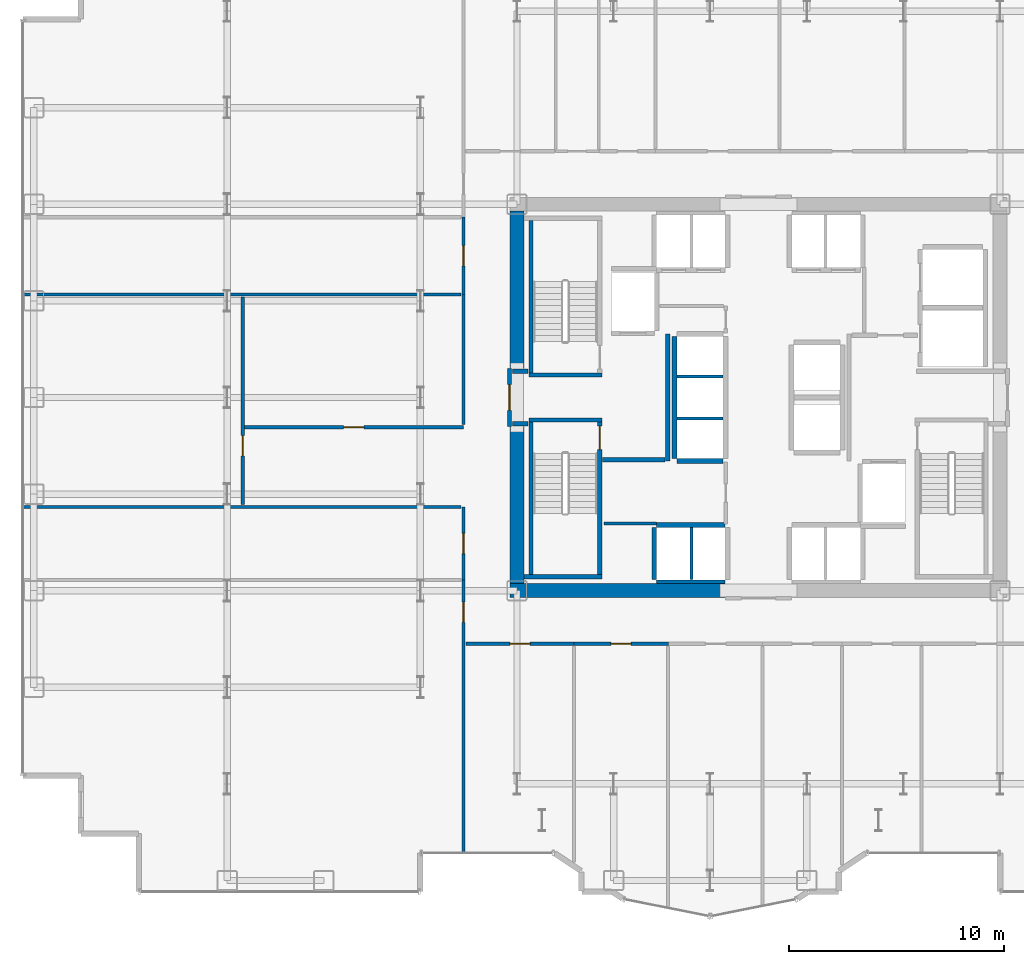
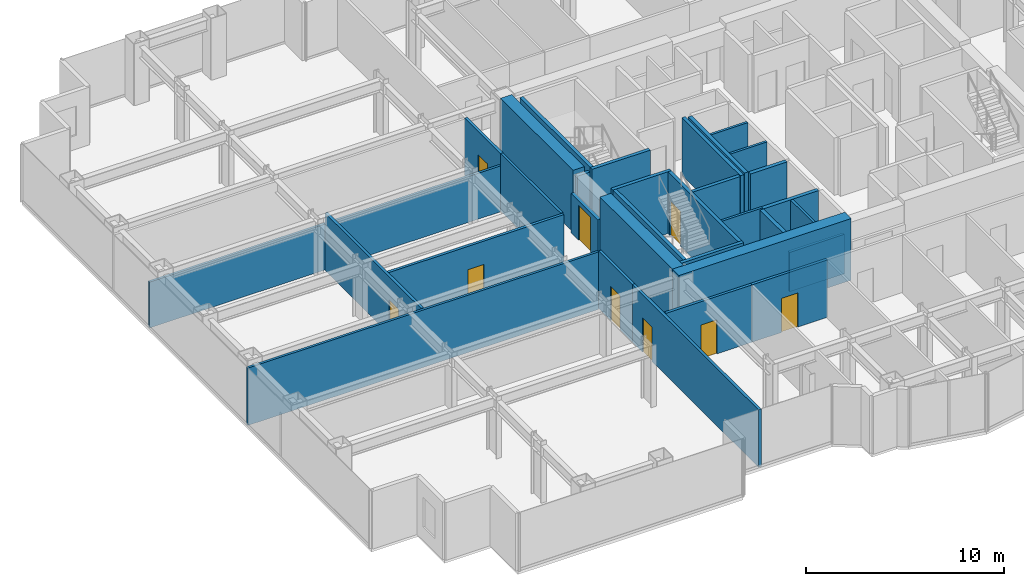
# One storey, part 20 of 25: 33 walls, 9 doors, 9 openings.
"""IFC4 building model written with IfcOpenShell, lengths in metres."""

from ifc_helpers import new_model, si_unit, direction, frame, frame_2d, origin, place, context, subcontext, project, spatial, rectangle, extrude, source, transform, mapped, material, layer, layer_set, type_object, element, fill, save


model = new_model("IFC4")

# Units and contexts
model_context = context("Model", 3, precision=1e-05, world=origin(), true_north=direction((0.0, 1.0)))
body_context = subcontext(model_context, "Body", "Model", "MODEL_VIEW")
ifc_project = project(units=[si_unit("LENGTHUNIT", "METRE"), si_unit("AREAUNIT", "SQUARE_METRE"), si_unit("VOLUMEUNIT", "CUBIC_METRE"), si_unit("PLANEANGLEUNIT", "RADIAN"), si_unit("MASSUNIT", "GRAM", prefix="KILO")], contexts=[model_context])

# Site, building, storey
site_placement = place(None, origin())
site = spatial("IfcSite", under=ifc_project, at=site_placement, CompositionType="ELEMENT")
building_placement = place(site_placement, origin())
building = spatial("IfcBuilding", under=site, at=building_placement, Name="Nefas-Gora Pilgrimage Tower", CompositionType="ELEMENT")
storey_placement = place(building_placement, frame((0.0, 0.0, 52.0)))
storey = spatial("IfcBuildingStorey", under=building, at=storey_placement, Name="L11", CompositionType="ELEMENT", Elevation=52.0)

# Walls
ifc_material_1 = material(Name="Concrete C60/75", Category="concrete")
ifc_layer_1 = layer(ifc_material_1, 0.64990234375)
ifc_layer_set_1 = layer_set([ifc_layer_1], Name="Concrete C60/75")
wall_type_1 = type_object("IfcWallType", Name="SW-CORE-650", PredefinedType="SHEAR", material=ifc_layer_set_1)
shared_shape_1 = source(origin(), body_context, "Body", "SweptSolid", [
    extrude(rectangle(XDim=10.02490234375, YDim=0.64990234375, at=frame_2d((5.012451171875, 0.0))), origin(), (0.0, 0.0, 1.0), 3.800048828125),
])
wall_1_placement = place(storey_placement, frame((-11.574951171875, -9.0, 0.0), z_axis=(0.0, 0.0, 1.0), x_axis=(1.0, 0.0, 0.0)))
element("IfcWall", 1, at=wall_1_placement, inside=storey, type_object=wall_type_1, Name="L11 Core Shear Wall S-West", PredefinedType="SHEAR", context=body_context, shape_type="MappedRepresentation", body=[
    mapped(shared_shape_1, transform((0.0, 0.0, 0.0), x_axis=(1.0, 0.0, 0.0), y_axis=(0.0, 1.0, 0.0), z_axis=(0.0, 0.0, 1.0), scale=1.0)),
])
shared_shape_2 = source(origin(), body_context, "Body", "SweptSolid", [
    extrude(rectangle(XDim=7.324951171875, YDim=0.64990234375, at=frame_2d((3.66259765625, 0.0))), origin(), (0.0, 0.0, 1.0), 3.800048828125),
])
for number, where, z_axis, x_axis, name in (
    (2, (-11.25, -8.675048828125, 0.0), (0.0, 0.0, 1.0), (0.0, 1.0, 0.0), "L11 Core Shear Wall W-South"),
    (3, (-11.25, 1.35009765625, 0.0), (0.0, 0.0, 1.0), (0.0, 1.0, 0.0), "L11 Core Shear Wall W-North"),
):
    element("IfcWall", number, at=place(storey_placement, frame(where, z_axis=z_axis, x_axis=x_axis)), inside=storey, type_object=wall_type_1, Name=name, PredefinedType="SHEAR", context=body_context, shape_type="MappedRepresentation", body=[
        mapped(shared_shape_2, transform((0.0, 0.0, 0.0), x_axis=(1.0, 0.0, 0.0), y_axis=(0.0, 1.0, 0.0), z_axis=(0.0, 0.0, 1.0), scale=1.0)),
    ])
ifc_material_2 = material(Name="Concrete C45/55", Category="concrete")
ifc_layer_2 = layer(ifc_material_2, 0.199951171875)
ifc_layer_set_2 = layer_set([ifc_layer_2], Name="Concrete C45/55")
wall_type_2 = type_object("IfcWallType", Name="IW-STAIR-200", PredefinedType="SOLIDWALL", material=ifc_layer_set_2)
shared_shape_3 = source(origin(), body_context, "Body", "SweptSolid", [
    extrude(rectangle(XDim=3.39990234375, YDim=0.199951171875, at=frame_2d((1.699951171875, 0.0))), origin(), (0.0, 0.0, 1.0), 3.800048828125),
])
for number, where, z_axis, x_axis, name in (
    (4, (-7.300048828125, 1.050048828125, 0.0), (0.0, 0.0, 1.0), (-1.0, 0.0, 0.0), "L11 Stairwell Shear Wall ST-01-near"),
    (5, (-10.699951171875, -1.050048828125, 0.0), (0.0, 0.0, 1.0), (1.0, 0.0, 0.0), "L11 Stairwell Shear Wall ST-03-near"),
):
    element("IfcWall", number, at=place(storey_placement, frame(where, z_axis=z_axis, x_axis=x_axis)), inside=storey, type_object=wall_type_2, Name=name, PredefinedType="SOLIDWALL", context=body_context, shape_type="MappedRepresentation", body=[
        mapped(shared_shape_3, transform((0.0, 0.0, 0.0), x_axis=(1.0, 0.0, 0.0), y_axis=(0.0, 1.0, 0.0), z_axis=(0.0, 0.0, 1.0), scale=1.0)),
    ])
shared_shape_4 = source(origin(), body_context, "Body", "SweptSolid", [
    extrude(rectangle(XDim=3.6298828125, YDim=0.199951171875, at=frame_2d((1.81494140625, 0.0))), origin(), (0.0, 0.0, 1.0), 3.800048828125),
])
wall_2_placement = place(storey_placement, frame((-10.929931640625, -8.35009765625, 0.0), z_axis=(0.0, 0.0, 1.0), x_axis=(1.0, 0.0, 0.0)))
element("IfcWall", 6, at=wall_2_placement, inside=storey, type_object=wall_type_2, Name="L11 Stairwell Shear Wall ST-03-far", PredefinedType="SOLIDWALL", context=body_context, shape_type="MappedRepresentation", body=[
    mapped(shared_shape_4, transform((0.0, 0.0, 0.0), x_axis=(1.0, 0.0, 0.0), y_axis=(0.0, 1.0, 0.0), z_axis=(0.0, 0.0, 1.0), scale=1.0)),
])
shared_shape_5 = source(origin(), body_context, "Body", "SweptSolid", [
    extrude(rectangle(XDim=7.10009765625, YDim=0.199951171875, at=frame_2d((3.550048828125, 0.0))), origin(), (0.0, 0.0, 1.0), 3.800048828125),
])
for number, where, z_axis, x_axis, name in (
    (7, (-10.60009765625, 1.14990234375, 0.0), (0.0, 0.0, 1.0), (0.0, 1.0, 0.0), "L11 Stairwell Shear Wall ST-01-right"),
    (8, (-10.60009765625, -1.14990234375, 0.0), (0.0, 0.0, 1.0), (0.0, -1.0, 0.0), "L11 Stairwell Shear Wall ST-03-left"),
):
    element("IfcWall", number, at=place(storey_placement, frame(where, z_axis=z_axis, x_axis=x_axis)), inside=storey, type_object=wall_type_2, Name=name, PredefinedType="SOLIDWALL", context=body_context, shape_type="MappedRepresentation", body=[
        mapped(shared_shape_5, transform((0.0, 0.0, 0.0), x_axis=(1.0, 0.0, 0.0), y_axis=(0.0, 1.0, 0.0), z_axis=(0.0, 0.0, 1.0), scale=1.0)),
    ])

# Wall, opening, door
wall_3_placement = place(storey_placement, frame((-7.39990234375, -1.14990234375, 0.0), z_axis=(0.0, 0.0, 1.0), x_axis=(0.0, -1.0, 0.0)))
wall_3 = element("IfcWall", 9, at=wall_3_placement, inside=storey, type_object=wall_type_2, Name="L11 Stairwell Shear Wall ST-03-right", PredefinedType="SOLIDWALL", context=body_context, shape_type="MappedRepresentation", body=[
    mapped(shared_shape_5, transform((0.0, 0.0, 0.0), x_axis=(1.0, 0.0, 0.0), y_axis=(0.0, 1.0, 0.0), z_axis=(0.0, 0.0, 1.0), scale=1.0)),
])
opening_1_placement = place(wall_3_placement, frame((0.179931640625, 0.0, 0.0)))
opening_1 = element("IfcOpeningElement", 10, at=opening_1_placement, cuts=wall_3, Name="Opening ID-ST1", PredefinedType="OPENING", context=body_context, shape_type="SweptSolid", body=[
    extrude(rectangle(XDim=1.10009765625, YDim=2.14990234375, at=frame_2d((0.550048828125, 1.074951171875))), frame((0.0, 0.10986328125, 0.0), z_axis=(0.0, -1.0, 0.0), x_axis=(1.0, 0.0, 0.0)), (0.0, 0.0, 1.0), 0.219970703125),
])
ifc_material_3 = material(Name="Painted galvanised steel fire stair door", Category="steel")
door_type_1 = type_object("IfcDoorType", Name="DR-INT-STAIR-1100", OperationType="NOTDEFINED", PredefinedType="DOOR", material=ifc_material_3)
shared_shape_6 = source(origin(), body_context, "Body", "SweptSolid", [
    extrude(rectangle(XDim=1.10009765625, YDim=2.14990234375, at=frame_2d((0.550048828125, 1.074951171875))), frame((0.0, 0.02490234375, 0.0), z_axis=(0.0, -1.0, 0.0), x_axis=(1.0, 0.0, 0.0)), (0.0, 0.0, 1.0), 0.050048828125),
])
door_1_placement = place(opening_1_placement, origin())
door_1 = element("IfcDoor", 11, at=door_1_placement, inside=storey, type_object=door_type_1, Name="L11 Protected Exit Stair Door ST-03", OperationType="SINGLE_SWING_LEFT", OverallHeight=2.14990234375, OverallWidth=1.10009765625, PredefinedType="DOOR", context=body_context, shape_type="MappedRepresentation", body=[
    mapped(shared_shape_6, transform((0.0, 0.0, 0.0), x_axis=(1.0, 0.0, 0.0), y_axis=(0.0, 1.0, 0.0), z_axis=(0.0, 0.0, 1.0), scale=1.0)),
])
fill(opening_1, door_1)

# Walls
ifc_material_4 = material(Name="Concrete C40/50", Category="concrete")
ifc_layer_3 = layer(ifc_material_4, 0.219970703125)
ifc_layer_set_3 = layer_set([ifc_layer_3], Name="Concrete C40/50")
wall_type_3 = type_object("IfcWallType", Name="IW-SHAFT-220", PredefinedType="SOLIDWALL", material=ifc_layer_set_3)
shared_shape_7 = source(origin(), body_context, "Body", "SweptSolid", [
    extrude(rectangle(XDim=3.199951171875, YDim=0.219970703125, at=frame_2d((1.60009765625, 0.0))), origin(), (0.0, 0.0, 1.0), 3.534912109375),
])
wall_4_placement = place(storey_placement, frame((-1.550048828125, -5.93994140625, 0.0), z_axis=(0.0, 0.0, 1.0), x_axis=(-1.0, 0.0, 0.0)))
element("IfcWall", 12, at=wall_4_placement, inside=storey, type_object=wall_type_3, Name="L11 Hoistway Wall PL2-W-N", PredefinedType="SOLIDWALL", context=body_context, shape_type="MappedRepresentation", body=[
    mapped(shared_shape_7, transform((0.0, 0.0, 0.0), x_axis=(1.0, 0.0, 0.0), y_axis=(0.0, 1.0, 0.0), z_axis=(0.0, 0.0, 1.0), scale=1.0)),
])
ifc_material_5 = material(Name="Gypsum acoustic stud partition")
ifc_layer_4 = layer(ifc_material_5, 0.159912109375)
ifc_layer_set_4 = layer_set([ifc_layer_4], Name="Gypsum acoustic stud partition")
wall_type_4 = type_object("IfcWallType", Name="IW-CORR-160", PredefinedType="PARTITIONING", material=ifc_layer_set_4)
shared_shape_8 = source(origin(), body_context, "Body", "SweptSolid", [
    extrude(rectangle(XDim=3.199951171875, YDim=0.159912109375, at=frame_2d((1.60009765625, 0.0))), origin(), (0.0, 0.0, 1.0), 2.425048828125),
])
wall_5_placement = place(storey_placement, frame((-4.75, -8.580078125, 0.0), z_axis=(0.0, 0.0, 1.0), x_axis=(1.0, 0.0, 0.0)))
element("IfcWall", 13, at=wall_5_placement, inside=storey, type_object=wall_type_4, Name="L11 Hoistway Wall PL2-W-S", PredefinedType="PARTITIONING", context=body_context, shape_type="MappedRepresentation", body=[
    mapped(shared_shape_8, transform((0.0, 0.0, 0.0), x_axis=(1.0, 0.0, 0.0), y_axis=(0.0, 1.0, 0.0), z_axis=(0.0, 0.0, 1.0), scale=1.0)),
])
shared_shape_9 = source(origin(), body_context, "Body", "SweptSolid", [
    extrude(rectangle(XDim=2.429931640625, YDim=0.219970703125, at=frame_2d((1.21484375, 0.0))), origin(), (0.0, 0.0, 1.0), 3.534912109375),
])
wall_6_placement = place(storey_placement, frame((-4.860107421875, -6.06005859375, 0.0), z_axis=(0.0, 0.0, 1.0), x_axis=(0.0, -1.0, 0.0)))
element("IfcWall", 14, at=wall_6_placement, inside=storey, type_object=wall_type_3, Name="L11 Hoistway Wall PL2-W-W", PredefinedType="SOLIDWALL", context=body_context, shape_type="MappedRepresentation", body=[
    mapped(shared_shape_9, transform((0.0, 0.0, 0.0), x_axis=(1.0, 0.0, 0.0), y_axis=(0.0, 1.0, 0.0), z_axis=(0.0, 0.0, 1.0), scale=1.0)),
])
ifc_material_6 = material(Name="Gypsum twin-stud partition")
ifc_layer_5 = layer(ifc_material_6, 0.139892578125)
ifc_layer_set_5 = layer_set([ifc_layer_5], Name="Gypsum twin-stud partition")
wall_type_5 = type_object("IfcWallType", Name="IW-UNIT-140", PredefinedType="PARTITIONING", material=ifc_layer_set_5)
shared_shape_10 = source(origin(), body_context, "Body", "SweptSolid", [
    extrude(rectangle(XDim=2.429931640625, YDim=0.139892578125, at=frame_2d((1.21484375, 0.0))), origin(), (0.0, 0.0, 1.0), 3.534912109375),
])
wall_7_placement = place(storey_placement, frame((-3.125, -8.489990234375, 0.0), z_axis=(0.0, 0.0, 1.0), x_axis=(0.0, 1.0, 0.0)))
element("IfcWall", 15, at=wall_7_placement, inside=storey, type_object=wall_type_5, Name="L11 Hoistway Wall PL2-W-DIV", PredefinedType="PARTITIONING", context=body_context, shape_type="MappedRepresentation", body=[
    mapped(shared_shape_10, transform((0.0, 0.0, 0.0), x_axis=(1.0, 0.0, 0.0), y_axis=(0.0, 1.0, 0.0), z_axis=(0.0, 0.0, 1.0), scale=1.0)),
])
shared_shape_11 = source(origin(), body_context, "Body", "SweptSolid", [
    extrude(rectangle(XDim=5.7001953125, YDim=0.219970703125, at=frame_2d((2.85009765625, 0.0))), origin(), (0.0, 0.0, 1.0), 3.534912109375),
])
wall_8_placement = place(storey_placement, frame((-3.909912109375, 2.85009765625, 0.0), z_axis=(0.0, 0.0, 1.0), x_axis=(0.0, -1.0, 0.0)))
element("IfcWall", 16, at=wall_8_placement, inside=storey, type_object=wall_type_3, Name="L11 Hoistway Wall PL3-01-03-W", PredefinedType="SOLIDWALL", context=body_context, shape_type="MappedRepresentation", body=[
    mapped(shared_shape_11, transform((0.0, 0.0, 0.0), x_axis=(1.0, 0.0, 0.0), y_axis=(0.0, 1.0, 0.0), z_axis=(0.0, 0.0, 1.0), scale=1.0)),
])
shared_shape_12 = source(origin(), body_context, "Body", "SweptSolid", [
    extrude(rectangle(XDim=2.130126953125, YDim=0.219970703125, at=frame_2d((1.06494140625, 0.0))), origin(), (0.0, 0.0, 1.0), 3.534912109375),
])
wall_9_placement = place(storey_placement, frame((-3.7900390625, -2.9599609375, 0.0), z_axis=(0.0, 0.0, 1.0), x_axis=(1.0, 0.0, 0.0)))
element("IfcWall", 17, at=wall_9_placement, inside=storey, type_object=wall_type_3, Name="L11 Hoistway Wall PL3-01-S", PredefinedType="SOLIDWALL", context=body_context, shape_type="MappedRepresentation", body=[
    mapped(shared_shape_12, transform((0.0, 0.0, 0.0), x_axis=(1.0, 0.0, 0.0), y_axis=(0.0, 1.0, 0.0), z_axis=(0.0, 0.0, 1.0), scale=1.0)),
])
shared_shape_13 = source(origin(), body_context, "Body", "SweptSolid", [
    extrude(rectangle(XDim=2.130126953125, YDim=0.139892578125, at=frame_2d((1.06494140625, 0.0))), origin(), (0.0, 0.0, 1.0), 3.534912109375),
])
for number, where, z_axis, x_axis, name in (
    (18, (-3.7900390625, -0.97509765625, 0.0), (0.0, 0.0, 1.0), (1.0, 0.0, 0.0), "L11 Hoistway Wall PL3-01-02-DIV"),
    (19, (-3.7900390625, 0.97509765625, 0.0), (0.0, 0.0, 1.0), (1.0, 0.0, 0.0), "L11 Hoistway Wall PL3-02-03-DIV"),
):
    element("IfcWall", number, at=place(storey_placement, frame(where, z_axis=z_axis, x_axis=x_axis)), inside=storey, type_object=wall_type_5, Name=name, PredefinedType="PARTITIONING", context=body_context, shape_type="MappedRepresentation", body=[
        mapped(shared_shape_13, transform((0.0, 0.0, 0.0), x_axis=(1.0, 0.0, 0.0), y_axis=(0.0, 1.0, 0.0), z_axis=(0.0, 0.0, 1.0), scale=1.0)),
    ])

# Wall, opening, door
ifc_material_7 = material(Name="Gypsum fire-rated shaftwall")
ifc_layer_6 = layer(ifc_material_7, 0.199951171875)
ifc_layer_set_6 = layer_set([ifc_layer_6], Name="Gypsum fire-rated shaftwall")
wall_type_6 = type_object("IfcWallType", Name="IW-FFLOB-200", PredefinedType="PARTITIONING", material=ifc_layer_set_6)
shared_shape_14 = source(origin(), body_context, "Body", "SweptSolid", [
    extrude(rectangle(XDim=2.7001953125, YDim=0.199951171875, at=frame_2d((1.35009765625, 0.0))), origin(), (0.0, 0.0, 1.0), 2.425048828125),
])
wall_10_placement = place(storey_placement, frame((-11.60009765625, -1.35009765625, 0.0), z_axis=(0.0, 0.0, 1.0), x_axis=(0.0, 1.0, 0.0)))
wall_10 = element("IfcWall", 20, at=wall_10_placement, inside=storey, type_object=wall_type_6, Name="L11 FF Lobby West Portal Wall 3", PredefinedType="PARTITIONING", context=body_context, shape_type="MappedRepresentation", body=[
    mapped(shared_shape_14, transform((0.0, 0.0, 0.0), x_axis=(1.0, 0.0, 0.0), y_axis=(0.0, 1.0, 0.0), z_axis=(0.0, 0.0, 1.0), scale=1.0)),
])
opening_2_placement = place(wall_10_placement, frame((0.75, 0.0, 0.0)))
opening_2 = element("IfcOpeningElement", 21, at=opening_2_placement, cuts=wall_10, Name="Opening ID-FF1", PredefinedType="OPENING", context=body_context, shape_type="SweptSolid", body=[
    extrude(rectangle(XDim=1.199951171875, YDim=2.14990234375, at=frame_2d((0.60009765625, 1.074951171875))), frame((0.0, 0.10986328125, 0.0), z_axis=(0.0, -1.0, 0.0), x_axis=(1.0, 0.0, 0.0)), (0.0, 0.0, 1.0), 0.219970703125),
])
ifc_material_8 = material(Name="Smoke-sealed steel firefighting lobby door", Category="steel")
door_type_2 = type_object("IfcDoorType", Name="DR-INT-FFLOB-1200", OperationType="NOTDEFINED", PredefinedType="DOOR", material=ifc_material_8)
shared_shape_15 = source(origin(), body_context, "Body", "SweptSolid", [
    extrude(rectangle(XDim=1.199951171875, YDim=2.14990234375, at=frame_2d((0.60009765625, 1.074951171875))), frame((0.0, 0.02490234375, 0.0), z_axis=(0.0, -1.0, 0.0), x_axis=(1.0, 0.0, 0.0)), (0.0, 0.0, 1.0), 0.050048828125),
])
door_2_placement = place(opening_2_placement, origin())
door_2 = element("IfcDoor", 22, at=door_2_placement, inside=storey, type_object=door_type_2, Name="L11 FF Lobby West Portal Door 1", OperationType="SINGLE_SWING_RIGHT", OverallHeight=2.14990234375, OverallWidth=1.199951171875, PredefinedType="DOOR", context=body_context, shape_type="MappedRepresentation", body=[
    mapped(shared_shape_15, transform((0.0, 0.0, 0.0), x_axis=(1.0, 0.0, 0.0), y_axis=(0.0, 1.0, 0.0), z_axis=(0.0, 0.0, 1.0), scale=1.0)),
])
fill(opening_2, door_2)

# Walls
shared_shape_16 = source(origin(), body_context, "Body", "SweptSolid", [
    extrude(rectangle(XDim=5.89990234375, YDim=0.199951171875, at=frame_2d((2.949951171875, 0.0))), origin(), (0.0, 0.0, 1.0), 3.534912109375),
])
wall_11_placement = place(storey_placement, frame((-4.219970703125, -2.949951171875, 0.0), z_axis=(0.0, 0.0, 1.0), x_axis=(0.0, 1.0, 0.0)))
element("IfcWall", 23, at=wall_11_placement, inside=storey, type_object=wall_type_6, Name="L11 FF Lobby West Inner Wall Wall 4", PredefinedType="PARTITIONING", context=body_context, shape_type="MappedRepresentation", body=[
    mapped(shared_shape_16, transform((0.0, 0.0, 0.0), x_axis=(1.0, 0.0, 0.0), y_axis=(0.0, 1.0, 0.0), z_axis=(0.0, 0.0, 1.0), scale=1.0)),
])
shared_shape_17 = source(origin(), body_context, "Body", "SweptSolid", [
    extrude(rectangle(XDim=2.89990234375, YDim=0.199951171875, at=frame_2d((1.449951171875, 0.0))), origin(), (0.0, 0.0, 1.0), 3.534912109375),
])
wall_12_placement = place(storey_placement, frame((-7.260009765625, -2.89990234375, 0.0), z_axis=(0.0, 0.0, 1.0), x_axis=(1.0, 0.0, 0.0)))
element("IfcWall", 24, at=wall_12_placement, inside=storey, type_object=wall_type_6, Name="L11 FF Lobby West South Wall Wall 5", PredefinedType="PARTITIONING", context=body_context, shape_type="MappedRepresentation", body=[
    mapped(shared_shape_17, transform((0.0, 0.0, 0.0), x_axis=(1.0, 0.0, 0.0), y_axis=(0.0, 1.0, 0.0), z_axis=(0.0, 0.0, 1.0), scale=1.0)),
])
shared_shape_18 = source(origin(), body_context, "Body", "SweptSolid", [
    extrude(rectangle(XDim=0.719970703125, YDim=0.199951171875, at=frame_2d((0.35986328125, 0.0))), origin(), (0.0, 0.0, 1.0), 3.534912109375),
])
for number, where, z_axis, x_axis, name in (
    (25, (-11.4599609375, 1.219970703125, 0.0), (0.0, 0.0, 1.0), (1.0, 0.0, 0.0), "L11 FF Lobby West Throat N Wall 6"),
    (26, (-11.4599609375, -1.219970703125, 0.0), (0.0, 0.0, 1.0), (1.0, 0.0, 0.0), "L11 FF Lobby West Throat S Wall 7"),
):
    element("IfcWall", number, at=place(storey_placement, frame(where, z_axis=z_axis, x_axis=x_axis)), inside=storey, type_object=wall_type_6, Name=name, PredefinedType="PARTITIONING", context=body_context, shape_type="MappedRepresentation", body=[
        mapped(shared_shape_18, transform((0.0, 0.0, 0.0), x_axis=(1.0, 0.0, 0.0), y_axis=(0.0, 1.0, 0.0), z_axis=(0.0, 0.0, 1.0), scale=1.0)),
    ])
shared_shape_19 = source(origin(), body_context, "Body", "SweptSolid", [
    extrude(rectangle(XDim=2.43505859375, YDim=0.139892578125, at=frame_2d((1.217529296875, 0.0))), origin(), (0.0, 0.0, 1.0), 3.534912109375),
])
wall_13_placement = place(storey_placement, frame((-7.18994140625, -5.8798828125, 0.0), z_axis=(0.0, 0.0, 1.0), x_axis=(1.0, 0.0, 0.0)))
element("IfcWall", 27, at=wall_13_placement, inside=storey, type_object=wall_type_5, Name="L11 Pilgrim Baggage and Gear Vault Partition Wall 19", PredefinedType="PARTITIONING", context=body_context, shape_type="MappedRepresentation", body=[
    mapped(shared_shape_19, transform((0.0, 0.0, 0.0), x_axis=(1.0, 0.0, 0.0), y_axis=(0.0, 1.0, 0.0), z_axis=(0.0, 0.0, 1.0), scale=1.0)),
])

# Wall, opening, door
shared_shape_20 = source(origin(), body_context, "Body", "SweptSolid", [
    extrude(rectangle(XDim=10.25, YDim=0.159912109375, at=frame_2d((5.125, 0.0))), origin(), (0.0, 0.0, 1.0), 3.534912109375),
])
wall_14_placement = place(storey_placement, frame((-23.97998046875, -1.3798828125, 0.0), z_axis=(0.0, 0.0, 1.0), x_axis=(1.0, 0.0, 0.0)))
wall_14 = element("IfcWall", 28, at=wall_14_placement, inside=storey, type_object=wall_type_4, Name="L11 Pilgrim Fellowship Seminar Room Partition Wall 27", PredefinedType="PARTITIONING", context=body_context, shape_type="MappedRepresentation", body=[
    mapped(shared_shape_20, transform((0.0, 0.0, 0.0), x_axis=(1.0, 0.0, 0.0), y_axis=(0.0, 1.0, 0.0), z_axis=(0.0, 0.0, 1.0), scale=1.0)),
])
opening_3_placement = place(wall_14_placement, frame((4.64990234375, 0.0, 0.0)))
opening_3 = element("IfcOpeningElement", 29, at=opening_3_placement, cuts=wall_14, Name="Opening ID-GR1", PredefinedType="OPENING", context=body_context, shape_type="SweptSolid", body=[
    extrude(rectangle(XDim=0.949951171875, YDim=2.10009765625, at=frame_2d((0.47509765625, 1.050048828125))), frame((0.0, 0.08984375, 0.0), z_axis=(0.0, -1.0, 0.0), x_axis=(1.0, 0.0, 0.0)), (0.0, 0.0, 1.0), 0.179931640625),
])
ifc_material_9 = material(Name="Solid core oak fire-rated guest entrance door")
door_type_3 = type_object("IfcDoorType", Name="DR-INT-GUEST-950", OperationType="NOTDEFINED", PredefinedType="DOOR", material=ifc_material_9)
shared_shape_21 = source(origin(), body_context, "Body", "SweptSolid", [
    extrude(rectangle(XDim=0.949951171875, YDim=2.10009765625, at=frame_2d((0.47509765625, 1.050048828125))), frame((0.0, 0.02490234375, 0.0), z_axis=(0.0, -1.0, 0.0), x_axis=(1.0, 0.0, 0.0)), (0.0, 0.0, 1.0), 0.050048828125),
])
door_3_placement = place(opening_3_placement, origin())
door_3 = element("IfcDoor", 30, at=door_3_placement, inside=storey, type_object=door_type_3, Name="L11 Pilgrim Fellowship Seminar Room Door 11", OperationType="SINGLE_SWING_RIGHT", OverallHeight=2.10009765625, OverallWidth=0.949951171875, PredefinedType="DOOR", context=body_context, shape_type="MappedRepresentation", body=[
    mapped(shared_shape_21, transform((0.0, 0.0, 0.0), x_axis=(1.0, 0.0, 0.0), y_axis=(0.0, 1.0, 0.0), z_axis=(0.0, 0.0, 1.0), scale=1.0)),
])
fill(opening_3, door_3)

shared_shape_22 = source(origin(), body_context, "Body", "SweptSolid", [
    extrude(rectangle(XDim=3.610107421875, YDim=0.159912109375, at=frame_2d((1.80517578125, 0.0))), origin(), (0.0, 0.0, 1.0), 3.534912109375),
])
wall_15_placement = place(storey_placement, frame((-13.739990234375, 4.794921875, 0.0), z_axis=(0.0, 0.0, 1.0), x_axis=(0.0, 1.0, 0.0)))
wall_15 = element("IfcWall", 31, at=wall_15_placement, inside=storey, type_object=wall_type_4, Name="L11 Pilgrim Fellowship Seminar Room Partition Wall 31", PredefinedType="PARTITIONING", context=body_context, shape_type="MappedRepresentation", body=[
    mapped(shared_shape_22, transform((0.0, 0.0, 0.0), x_axis=(1.0, 0.0, 0.0), y_axis=(0.0, 1.0, 0.0), z_axis=(0.0, 0.0, 1.0), scale=1.0)),
])
opening_4_placement = place(wall_15_placement, frame((1.330078125, 0.0, 0.0)))
opening_4 = element("IfcOpeningElement", 32, at=opening_4_placement, cuts=wall_15, Name="Opening ID-GR1", PredefinedType="OPENING", context=body_context, shape_type="SweptSolid", body=[
    extrude(rectangle(XDim=0.949951171875, YDim=2.10009765625, at=frame_2d((0.47509765625, 1.050048828125))), frame((0.0, 0.08984375, 0.0), z_axis=(0.0, -1.0, 0.0), x_axis=(1.0, 0.0, 0.0)), (0.0, 0.0, 1.0), 0.179931640625),
])
door_4_placement = place(opening_4_placement, origin())
door_4 = element("IfcDoor", 33, at=door_4_placement, inside=storey, type_object=door_type_3, Name="L11 Pilgrim Fellowship Seminar Room Door 13", OperationType="SINGLE_SWING_RIGHT", OverallHeight=2.10009765625, OverallWidth=0.949951171875, PredefinedType="DOOR", context=body_context, shape_type="MappedRepresentation", body=[
    mapped(shared_shape_21, transform((0.0, 0.0, 0.0), x_axis=(1.0, 0.0, 0.0), y_axis=(0.0, 1.0, 0.0), z_axis=(0.0, 0.0, 1.0), scale=1.0)),
])
fill(opening_4, door_4)

# Walls
shared_shape_23 = source(origin(), body_context, "Body", "SweptSolid", [
    extrude(rectangle(XDim=6.06494140625, YDim=0.139892578125, at=frame_2d((3.032470703125, 0.0))), origin(), (0.0, 0.0, 1.0), 3.534912109375),
])
wall_16_placement = place(storey_placement, frame((-13.739990234375, -1.260009765625, 0.0), z_axis=(0.0, 0.0, 1.0), x_axis=(0.0, 1.0, 0.0)))
element("IfcWall", 34, at=wall_16_placement, inside=storey, type_object=wall_type_5, Name="L11 Pilgrim Fellowship Seminar Room Partition Wall 28", PredefinedType="PARTITIONING", context=body_context, shape_type="MappedRepresentation", body=[
    mapped(shared_shape_23, transform((0.0, 0.0, 0.0), x_axis=(1.0, 0.0, 0.0), y_axis=(0.0, 1.0, 0.0), z_axis=(0.0, 0.0, 1.0), scale=1.0)),
])
shared_shape_24 = source(origin(), body_context, "Body", "SweptSolid", [
    extrude(rectangle(XDim=20.429931640625, YDim=0.139892578125, at=frame_2d((10.21484375, 0.0))), origin(), (0.0, 0.0, 1.0), 3.534912109375),
])
wall_17_placement = place(storey_placement, frame((-34.2900390625, -5.10498046875, 0.0), z_axis=(0.0, 0.0, 1.0), x_axis=(1.0, 0.0, 0.0)))
element("IfcWall", 35, at=wall_17_placement, inside=storey, type_object=wall_type_5, Name="L11 Pilgrim Fellowship Seminar Room Partition Wall 26", PredefinedType="PARTITIONING", context=body_context, shape_type="MappedRepresentation", body=[
    mapped(shared_shape_24, transform((0.0, 0.0, 0.0), x_axis=(1.0, 0.0, 0.0), y_axis=(0.0, 1.0, 0.0), z_axis=(0.0, 0.0, 1.0), scale=1.0)),
])
shared_shape_25 = source(origin(), body_context, "Body", "SweptSolid", [
    extrude(rectangle(XDim=20.43994140625, YDim=0.139892578125, at=frame_2d((10.219970703125, 0.0))), origin(), (0.0, 0.0, 1.0), 2.824951171875),
])
wall_18_placement = place(storey_placement, frame((-34.2900390625, 4.794921875, 0.0), z_axis=(0.0, 0.0, 1.0), x_axis=(1.0, 0.0, 0.0)))
element("IfcWall", 36, at=wall_18_placement, inside=storey, type_object=wall_type_5, Name="L11 Pilgrim Fellowship Seminar Room Partition Wall 29", PredefinedType="PARTITIONING", context=body_context, shape_type="MappedRepresentation", body=[
    mapped(shared_shape_25, transform((0.0, 0.0, 0.0), x_axis=(1.0, 0.0, 0.0), y_axis=(0.0, 1.0, 0.0), z_axis=(0.0, 0.0, 1.0), scale=1.0)),
])

# Wall, opening, door
shared_shape_26 = source(origin(), body_context, "Body", "SweptSolid", [
    extrude(rectangle(XDim=12.744873046875, YDim=0.159912109375, at=frame_2d((6.37255859375, 0.0))), origin(), (0.0, 0.0, 1.0), 3.534912109375),
])
wall_19_placement = place(storey_placement, frame((-13.739990234375, -21.239990234375, 0.0), z_axis=(0.0, 0.0, 1.0), x_axis=(0.0, 1.0, 0.0)))
wall_19 = element("IfcWall", 37, at=wall_19_placement, inside=storey, type_object=wall_type_4, Name="L11 Pilgrim Tea and Beverage Pantry Partition Wall 23", PredefinedType="PARTITIONING", context=body_context, shape_type="MappedRepresentation", body=[
    mapped(shared_shape_26, transform((0.0, 0.0, 0.0), x_axis=(1.0, 0.0, 0.0), y_axis=(0.0, 1.0, 0.0), z_axis=(0.0, 0.0, 1.0), scale=1.0)),
])
opening_5_placement = place(wall_19_placement, frame((10.762451171875, 0.0, 0.0)))
opening_5 = element("IfcOpeningElement", 38, at=opening_5_placement, cuts=wall_19, Name="Opening ID-GR1", PredefinedType="OPENING", context=body_context, shape_type="SweptSolid", body=[
    extrude(rectangle(XDim=0.949951171875, YDim=2.10009765625, at=frame_2d((0.47509765625, 1.050048828125))), frame((0.0, 0.08984375, 0.0), z_axis=(0.0, -1.0, 0.0), x_axis=(1.0, 0.0, 0.0)), (0.0, 0.0, 1.0), 0.179931640625),
])
door_5_placement = place(opening_5_placement, origin())
door_5 = element("IfcDoor", 39, at=door_5_placement, inside=storey, type_object=door_type_3, Name="L11 Pilgrim Tea and Beverage Pantry Door 9", OperationType="SINGLE_SWING_RIGHT", OverallHeight=2.10009765625, OverallWidth=0.949951171875, PredefinedType="DOOR", context=body_context, shape_type="MappedRepresentation", body=[
    mapped(shared_shape_21, transform((0.0, 0.0, 0.0), x_axis=(1.0, 0.0, 0.0), y_axis=(0.0, 1.0, 0.0), z_axis=(0.0, 0.0, 1.0), scale=1.0)),
])
fill(opening_5, door_5)

shared_shape_27 = source(origin(), body_context, "Body", "SweptSolid", [
    extrude(rectangle(XDim=3.409912109375, YDim=0.159912109375, at=frame_2d((1.705078125, 0.0))), origin(), (0.0, 0.0, 1.0), 3.534912109375),
])
wall_20_placement = place(storey_placement, frame((-13.739990234375, -8.5048828125, 0.0), z_axis=(0.0, 0.0, 1.0), x_axis=(0.0, 1.0, 0.0)))
wall_20 = element("IfcWall", 40, at=wall_20_placement, inside=storey, type_object=wall_type_4, Name="L11 Pilgrim Fellowship Seminar Room Partition Wall 25", PredefinedType="PARTITIONING", context=body_context, shape_type="MappedRepresentation", body=[
    mapped(shared_shape_27, transform((0.0, 0.0, 0.0), x_axis=(1.0, 0.0, 0.0), y_axis=(0.0, 1.0, 0.0), z_axis=(0.0, 0.0, 1.0), scale=1.0)),
])
opening_6_placement = place(wall_20_placement, frame((1.22998046875, 0.0, 0.0)))
opening_6 = element("IfcOpeningElement", 41, at=opening_6_placement, cuts=wall_20, Name="Opening ID-GR1", PredefinedType="OPENING", context=body_context, shape_type="SweptSolid", body=[
    extrude(rectangle(XDim=0.949951171875, YDim=2.10009765625, at=frame_2d((0.47509765625, 1.050048828125))), frame((0.0, 0.08984375, 0.0), z_axis=(0.0, -1.0, 0.0), x_axis=(1.0, 0.0, 0.0)), (0.0, 0.0, 1.0), 0.179931640625),
])
door_6_placement = place(opening_6_placement, origin())
door_6 = element("IfcDoor", 42, at=door_6_placement, inside=storey, type_object=door_type_3, Name="L11 Pilgrim Fellowship Seminar Room Door 10", OperationType="SINGLE_SWING_LEFT", OverallHeight=2.10009765625, OverallWidth=0.949951171875, PredefinedType="DOOR", context=body_context, shape_type="MappedRepresentation", body=[
    mapped(shared_shape_21, transform((0.0, 0.0, 0.0), x_axis=(1.0, 0.0, 0.0), y_axis=(0.0, 1.0, 0.0), z_axis=(0.0, 0.0, 1.0), scale=1.0)),
])
fill(opening_6, door_6)

shared_shape_28 = source(origin(), body_context, "Body", "SweptSolid", [
    extrude(rectangle(XDim=9.68017578125, YDim=0.159912109375, at=frame_2d((4.840087890625, 0.0))), origin(), (0.0, 0.0, 1.0), 3.534912109375),
])
wall_21_placement = place(storey_placement, frame((-24.02001953125, -4.9951171875, 0.0), z_axis=(0.0, 0.0, 1.0), x_axis=(0.0, 1.0, 0.0)))
wall_21 = element("IfcWall", 43, at=wall_21_placement, inside=storey, type_object=wall_type_4, Name="L11 Pilgrim Fellowship Seminar Room Partition Wall 30", PredefinedType="PARTITIONING", context=body_context, shape_type="MappedRepresentation", body=[
    mapped(shared_shape_28, transform((0.0, 0.0, 0.0), x_axis=(1.0, 0.0, 0.0), y_axis=(0.0, 1.0, 0.0), z_axis=(0.0, 0.0, 1.0), scale=1.0)),
])
opening_7_placement = place(wall_21_placement, frame((2.27001953125, 0.0, 0.0)))
opening_7 = element("IfcOpeningElement", 44, at=opening_7_placement, cuts=wall_21, Name="Opening ID-GR1", PredefinedType="OPENING", context=body_context, shape_type="SweptSolid", body=[
    extrude(rectangle(XDim=0.949951171875, YDim=2.10009765625, at=frame_2d((0.47509765625, 1.050048828125))), frame((0.0, 0.08984375, 0.0), z_axis=(0.0, -1.0, 0.0), x_axis=(1.0, 0.0, 0.0)), (0.0, 0.0, 1.0), 0.179931640625),
])
door_7_placement = place(opening_7_placement, origin())
door_7 = element("IfcDoor", 45, at=door_7_placement, inside=storey, type_object=door_type_3, Name="L11 Pilgrim Fellowship Seminar Room Door 12", OperationType="SINGLE_SWING_LEFT", OverallHeight=2.10009765625, OverallWidth=0.949951171875, PredefinedType="DOOR", context=body_context, shape_type="MappedRepresentation", body=[
    mapped(shared_shape_21, transform((0.0, 0.0, 0.0), x_axis=(1.0, 0.0, 0.0), y_axis=(0.0, 1.0, 0.0), z_axis=(0.0, 0.0, 1.0), scale=1.0)),
])
fill(opening_7, door_7)

shared_shape_29 = source(origin(), body_context, "Body", "SweptSolid", [
    extrude(rectangle(XDim=5.025146484375, YDim=0.159912109375, at=frame_2d((2.5126953125, 0.0))), origin(), (0.0, 0.0, 1.0), 3.534912109375),
])
wall_22_placement = place(storey_placement, frame((-13.6201171875, -11.469970703125, 0.0), z_axis=(0.0, 0.0, 1.0), x_axis=(1.0, 0.0, 0.0)))
wall_22 = element("IfcWall", 46, at=wall_22_placement, inside=storey, type_object=wall_type_4, Name="L11 Pilgrim Contemplative Lounge Partition Wall 52", PredefinedType="PARTITIONING", context=body_context, shape_type="MappedRepresentation", body=[
    mapped(shared_shape_29, transform((0.0, 0.0, 0.0), x_axis=(1.0, 0.0, 0.0), y_axis=(0.0, 1.0, 0.0), z_axis=(0.0, 0.0, 1.0), scale=1.0)),
])
opening_8_placement = place(wall_22_placement, frame((2.03759765625, 0.0, 0.0)))
opening_8 = element("IfcOpeningElement", 47, at=opening_8_placement, cuts=wall_22, Name="Opening ID-GR1", PredefinedType="OPENING", context=body_context, shape_type="SweptSolid", body=[
    extrude(rectangle(XDim=0.949951171875, YDim=2.10009765625, at=frame_2d((0.47509765625, 1.050048828125))), frame((0.0, 0.08984375, 0.0), z_axis=(0.0, -1.0, 0.0), x_axis=(1.0, 0.0, 0.0)), (0.0, 0.0, 1.0), 0.179931640625),
])
door_8_placement = place(opening_8_placement, origin())
door_8 = element("IfcDoor", 48, at=door_8_placement, inside=storey, type_object=door_type_3, Name="L11 Pilgrim Contemplative Lounge Door 25", OperationType="SINGLE_SWING_RIGHT", OverallHeight=2.10009765625, OverallWidth=0.949951171875, PredefinedType="DOOR", context=body_context, shape_type="MappedRepresentation", body=[
    mapped(shared_shape_21, transform((0.0, 0.0, 0.0), x_axis=(1.0, 0.0, 0.0), y_axis=(0.0, 1.0, 0.0), z_axis=(0.0, 0.0, 1.0), scale=1.0)),
])
fill(opening_8, door_8)

shared_shape_30 = source(origin(), body_context, "Body", "SweptSolid", [
    extrude(rectangle(XDim=4.405029296875, YDim=0.159912109375, at=frame_2d((2.20263671875, 0.0))), origin(), (0.0, 0.0, 1.0), 3.534912109375),
])
wall_23_placement = place(storey_placement, frame((-8.60498046875, -11.469970703125, 0.0), z_axis=(0.0, 0.0, 1.0), x_axis=(1.0, 0.0, 0.0)))
wall_23 = element("IfcWall", 49, at=wall_23_placement, inside=storey, type_object=wall_type_4, Name="L11 Pilgrim Contemplative Lounge Partition Wall 54", PredefinedType="PARTITIONING", context=body_context, shape_type="MappedRepresentation", body=[
    mapped(shared_shape_30, transform((0.0, 0.0, 0.0), x_axis=(1.0, 0.0, 0.0), y_axis=(0.0, 1.0, 0.0), z_axis=(0.0, 0.0, 1.0), scale=1.0)),
])
opening_9_placement = place(wall_23_placement, frame((1.7275390625, 0.0, 0.0)))
opening_9 = element("IfcOpeningElement", 50, at=opening_9_placement, cuts=wall_23, Name="Opening ID-GR1", PredefinedType="OPENING", context=body_context, shape_type="SweptSolid", body=[
    extrude(rectangle(XDim=0.949951171875, YDim=2.10009765625, at=frame_2d((0.47509765625, 1.050048828125))), frame((0.0, 0.08984375, 0.0), z_axis=(0.0, -1.0, 0.0), x_axis=(1.0, 0.0, 0.0)), (0.0, 0.0, 1.0), 0.179931640625),
])
door_9_placement = place(opening_9_placement, origin())
door_9 = element("IfcDoor", 51, at=door_9_placement, inside=storey, type_object=door_type_3, Name="L11 Pilgrim Contemplative Lounge Door 26", OperationType="SINGLE_SWING_LEFT", OverallHeight=2.10009765625, OverallWidth=0.949951171875, PredefinedType="DOOR", context=body_context, shape_type="MappedRepresentation", body=[
    mapped(shared_shape_21, transform((0.0, 0.0, 0.0), x_axis=(1.0, 0.0, 0.0), y_axis=(0.0, 1.0, 0.0), z_axis=(0.0, 0.0, 1.0), scale=1.0)),
])
fill(opening_9, door_9)

save(model, "model.ifc")
